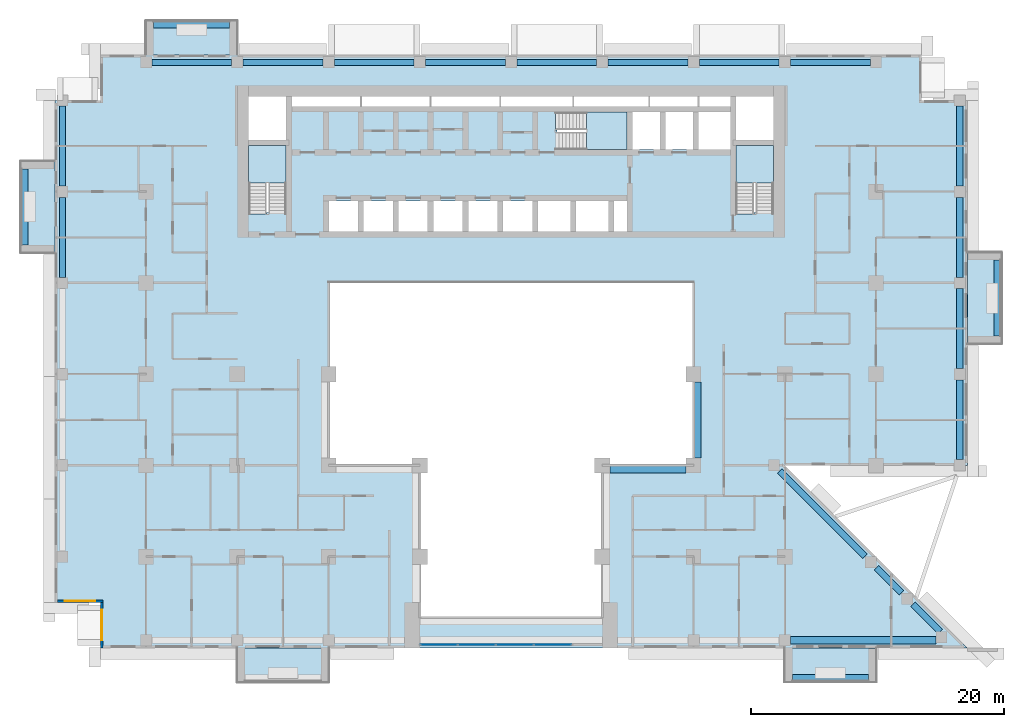
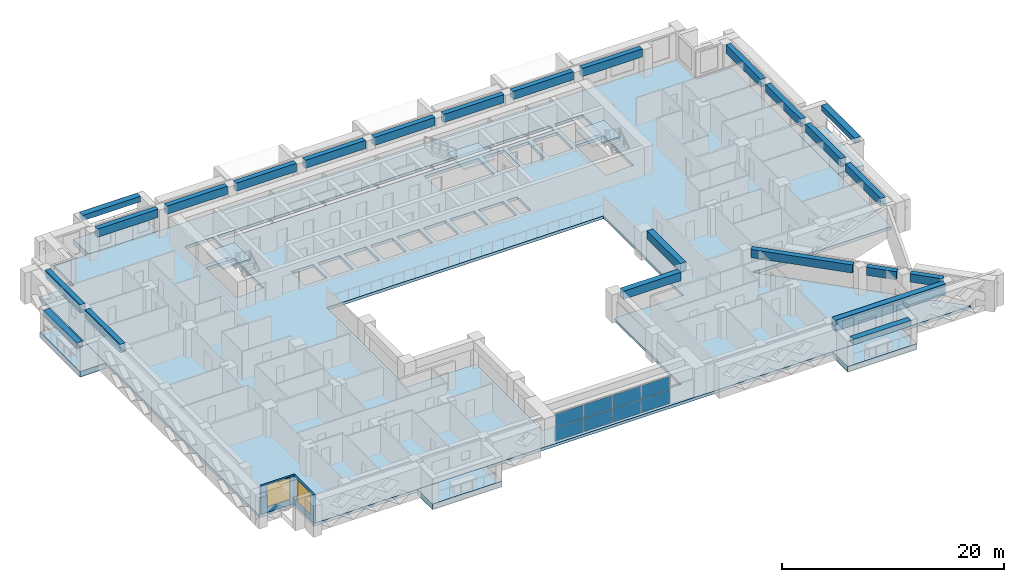
# One storey, part 5 of 17: 24 beams, 9 slabs, 8 plates, 2 walls, 2 windows, 2 openings, 4 elements without a shape of their own.
"""IFC4 building model written with IfcOpenShell, lengths in metres."""

from ifc_helpers import new_model, si_unit, direction, frame, frame_2d, origin, origin_2d, place, context, subcontext, project, spatial, polyline, rectangle, outline, extrude, source, transform, mapped, material, layer, layer_set, material_profile, profile_set, type_object, element, fill, aggregate, save


model = new_model("IFC4")

# Units and contexts
model_context = context("Model", 3, precision=1e-05, world=origin(), true_north=direction((0.0, 1.0)))
body_context = subcontext(model_context, "Body", "Model", "MODEL_VIEW")
ifc_project = project(units=[si_unit("LENGTHUNIT", "METRE"), si_unit("AREAUNIT", "SQUARE_METRE"), si_unit("VOLUMEUNIT", "CUBIC_METRE"), si_unit("PLANEANGLEUNIT", "RADIAN"), si_unit("MASSUNIT", "GRAM", prefix="KILO")], contexts=[model_context])

# Site, building, storey
site_placement = place(None, origin())
site = spatial("IfcSite", under=ifc_project, at=site_placement, CompositionType="ELEMENT")
building_placement = place(site_placement, origin())
building = spatial("IfcBuilding", under=site, at=building_placement, Name="Saffron Iwan Residences", CompositionType="ELEMENT")
storey_placement = place(building_placement, frame((0.0, 0.0, 104.0)))
storey = spatial("IfcBuildingStorey", under=building, at=storey_placement, Name="L27", CompositionType="ELEMENT", Elevation=104.0)

# Beams
ifc_material_1 = material(Name="Concrete C60/75", Category="concrete")
ifc_material_profile_1 = material_profile(ifc_material_1, rectangle(XDim=0.5, YDim=0.89990234375, at=origin_2d()), Name="RC 500x900")
ifc_profile_set_1 = profile_set([ifc_material_profile_1], Name="Concrete C60/75")
beam_type_1 = type_object("IfcBeamType", Name="SPANDREL BEAM RC 500x900 C60/75 TOP 3100", PredefinedType="SPANDREL", material=ifc_profile_set_1)
shared_shape_1 = source(origin(), body_context, "Body", "SweptSolid", [
    extrude(rectangle(XDim=0.5, YDim=0.89990234375, at=origin_2d()), origin(), (0.0, 0.0, 1.0), 6.300048828125),
])
for number, where, z_axis, x_axis, name in (
    (1, (85.800048828125, 54.75, 2.64990234375), (0.0, -1.0, 0.0), (1.0, 0.0, 0.0), "Spandrel beam"),
    (2, (85.800048828125, 61.949951171875, 2.64990234375), (0.0, -1.0, 0.0), (1.0, 0.0, 0.0), "Spandrel beam"),
    (3, (15.0, 70.050048828125, 2.64990234375), (0.0, 1.0, 0.0), (-1.0, 0.0, 0.0), "Spandrel beam"),
    (4, (85.800048828125, 76.35009765625, 2.64990234375), (0.0, -1.0, 0.0), (1.0, 0.0, 0.0), "Spandrel beam"),
    (5, (22.050048828125, 79.800048828125, 2.64990234375), (1.0, 0.0, 0.0), (0.0, 1.0, 0.0), "Spandrel beam"),
    (6, (29.25, 79.800048828125, 2.64990234375), (1.0, 0.0, 0.0), (0.0, 1.0, 0.0), "Spandrel beam"),
    (7, (36.449951171875, 79.800048828125, 2.64990234375), (1.0, 0.0, 0.0), (0.0, 1.0, 0.0), "Spandrel beam"),
    (8, (43.64990234375, 79.800048828125, 2.64990234375), (1.0, 0.0, 0.0), (0.0, 1.0, 0.0), "Spandrel beam"),
    (9, (58.050048828125, 79.800048828125, 2.64990234375), (1.0, 0.0, 0.0), (0.0, 1.0, 0.0), "Spandrel beam"),
    (10, (65.25, 79.800048828125, 2.64990234375), (1.0, 0.0, 0.0), (0.0, 1.0, 0.0), "Spandrel beam"),
    (11, (72.449951171875, 79.800048828125, 2.64990234375), (1.0, 0.0, 0.0), (0.0, 1.0, 0.0), "Spandrel beam"),
):
    element("IfcBeam", number, at=place(storey_placement, frame(where, z_axis=z_axis, x_axis=x_axis)), inside=storey, type_object=beam_type_1, Name=name, PredefinedType="SPANDREL", context=body_context, shape_type="MappedRepresentation", body=[
        mapped(shared_shape_1, transform((0.0, 0.0, 0.0))),
    ])
shared_shape_2 = source(origin(), body_context, "Body", "SweptSolid", [
    extrude(rectangle(XDim=0.5, YDim=0.89990234375, at=origin_2d()), origin(), (0.0, 0.0, 1.0), 3.046142578125),
])
beam_1_placement = place(storey_placement, frame((82.105712890625, 37.0458984375, 2.64990234375), z_axis=(0.707066705991, -0.70714685411, 0.0), x_axis=(0.70714685411, 0.707066705991, 0.0)))
element("IfcBeam", 12, at=beam_1_placement, inside=storey, type_object=beam_type_1, Name="Spandrel beam", PredefinedType="SPANDREL", context=body_context, shape_type="MappedRepresentation", body=[
    mapped(shared_shape_2, transform((0.0, 0.0, 0.0))),
])
shared_shape_3 = source(origin(), body_context, "Body", "SweptSolid", [
    extrude(rectangle(XDim=0.5, YDim=0.89990234375, at=origin_2d()), origin(), (0.0, 0.0, 1.0), 2.80029296875),
])
beam_2_placement = place(storey_placement, frame((79.2255859375, 39.92578125, 2.64990234375), z_axis=(0.707150371901, -0.707063187784, 0.0), x_axis=(0.707063187784, 0.707150371901, 0.0)))
element("IfcBeam", 13, at=beam_2_placement, inside=storey, type_object=beam_type_1, Name="Spandrel beam", PredefinedType="SPANDREL", context=body_context, shape_type="MappedRepresentation", body=[
    mapped(shared_shape_3, transform((0.0, 0.0, 0.0))),
])
shared_shape_4 = source(origin(), body_context, "Body", "SweptSolid", [
    extrude(rectangle(XDim=0.5, YDim=0.89990234375, at=origin_2d()), origin(), (0.0, 0.0, 1.0), 9.511474609375),
])
beam_3_placement = place(storey_placement, frame((71.60009765625, 47.551513671875, 2.64990234375), z_axis=(0.707093947217, -0.707119614923, 0.0), x_axis=(0.707119614923, 0.707093947217, 0.0)))
element("IfcBeam", 14, at=beam_3_placement, inside=storey, type_object=beam_type_1, Name="Spandrel beam", PredefinedType="SPANDREL", context=body_context, shape_type="MappedRepresentation", body=[
    mapped(shared_shape_4, transform((0.0, 0.0, 0.0))),
])
shared_shape_5 = source(origin(), body_context, "Body", "SweptSolid", [
    extrude(rectangle(XDim=0.5, YDim=0.89990234375, at=origin_2d()), origin(), (0.0, 0.0, 1.0), 6.2998046875),
])
for number, where, z_axis, x_axis, name in (
    (15, (15.0, 62.85009765625, 2.64990234375), (0.0, 1.0, 0.0), (-1.0, 0.0, 0.0), "Spandrel beam"),
    (16, (85.800048828125, 69.14990234375, 2.64990234375), (0.0, -1.0, 0.0), (1.0, 0.0, 0.0), "Spandrel beam"),
    (17, (50.85009765625, 79.800048828125, 2.64990234375), (1.0, 0.0, 0.0), (0.0, 1.0, 0.0), "Spandrel beam"),
):
    element("IfcBeam", number, at=place(storey_placement, frame(where, z_axis=z_axis, x_axis=x_axis)), inside=storey, type_object=beam_type_1, Name=name, PredefinedType="SPANDREL", context=body_context, shape_type="MappedRepresentation", body=[
        mapped(shared_shape_5, transform((0.0, 0.0, 0.0))),
    ])
ifc_material_profile_2 = material_profile(ifc_material_1, rectangle(XDim=0.60009765625, YDim=1.199951171875, at=origin_2d()), Name="RC 600x1200")
ifc_profile_set_2 = profile_set([ifc_material_profile_2], Name="Concrete C60/75")
beam_type_2 = type_object("IfcBeamType", Name="LINTEL BEAM RC 600x1200 C60/75 TOP 3100", PredefinedType="LINTEL", material=ifc_profile_set_2)
shared_shape_6 = source(origin(), body_context, "Body", "SweptSolid", [
    extrude(rectangle(XDim=0.60009765625, YDim=1.199951171875, at=origin_2d()), origin(), (0.0, 0.0, 1.0), 11.467529296875),
])
beam_4_placement = place(storey_placement, frame((83.91748046875, 34.199951171875, 2.5), z_axis=(-1.0, 0.0, 0.0), x_axis=(0.0, -1.0, 0.0)))
element("IfcBeam", 18, at=beam_4_placement, inside=storey, type_object=beam_type_2, Name="Lintel beam over the iwan", PredefinedType="LINTEL", context=body_context, shape_type="MappedRepresentation", body=[
    mapped(shared_shape_6, transform((0.0, 0.0, 0.0))),
])
ifc_material_profile_3 = material_profile(ifc_material_1, rectangle(XDim=0.60009765625, YDim=0.89990234375, at=origin_2d()), Name="RC 600x900")
ifc_profile_set_3 = profile_set([ifc_material_profile_3], Name="Concrete C60/75")
beam_type_3 = type_object("IfcBeamType", Name="BEAM RC 600x900 C60/75 TOP 3100", PredefinedType="BEAM", material=ifc_profile_set_3)
shared_shape_7 = source(origin(), body_context, "Body", "SweptSolid", [
    extrude(rectangle(XDim=0.60009765625, YDim=0.89990234375, at=origin_2d()), origin(), (0.0, 0.0, 1.0), 6.0),
])
for number, where, z_axis, x_axis, name in (
    (19, (64.199951171875, 47.699951171875, 2.64990234375), (-1.0, 0.0, 0.0), (0.0, -1.0, 0.0), "Atrium edge beam"),
    (20, (65.10009765625, 54.60009765625, 2.64990234375), (0.0, -1.0, 0.0), (1.0, 0.0, 0.0), "Atrium edge beam"),
):
    element("IfcBeam", number, at=place(storey_placement, frame(where, z_axis=z_axis, x_axis=x_axis)), inside=storey, type_object=beam_type_3, Name=name, PredefinedType="BEAM", context=body_context, shape_type="MappedRepresentation", body=[
        mapped(shared_shape_7, transform((0.0, 0.0, 0.0))),
    ])
ifc_material_2 = material(Name="Concrete C50/60 white painted", Category="concrete")
ifc_material_profile_4 = material_profile(ifc_material_2, rectangle(XDim=0.60009765625, YDim=0.60009765625, at=origin_2d()), Name="BALCONY FASCIA BEAM 600 x 600")
ifc_profile_set_4 = profile_set([ifc_material_profile_4], Name="Concrete C50/60 white painted")
beam_type_4 = type_object("IfcBeamType", Name="BALCONY FASCIA BEAM 600 x 600", PredefinedType="BEAM", material=ifc_profile_set_4)
shared_shape_8 = source(origin(), body_context, "Body", "SweptSolid", [
    extrude(rectangle(XDim=0.60009765625, YDim=0.60009765625, at=origin_2d()), origin(), (0.0, 0.0, 1.0), 6.0),
])
for number, where, z_axis, x_axis, name in (
    (21, (88.800048828125, 58.199951171875, 2.469970703125), (0.0, 1.0, 0.0), (-1.0, 0.0, 0.0), "Balcony fascia beam L27 F2-0"),
    (22, (28.199951171875, 82.800048828125, 2.469970703125), (-1.0, 0.0, 0.0), (0.0, -1.0, 0.0), "Balcony fascia beam L27 F5-3"),
    (23, (12.0, 71.39990234375, 2.469970703125), (0.0, -1.0, 0.0), (1.0, 0.0, 0.0), "Balcony fascia beam L27 F8-0"),
    (24, (72.60009765625, 31.199951171875, 2.469970703125), (1.0, 0.0, 0.0), (0.0, 1.0, 0.0), "Balcony fascia beam L27 11-1"),
):
    element("IfcBeam", number, at=place(storey_placement, frame(where, z_axis=z_axis, x_axis=x_axis)), inside=storey, type_object=beam_type_4, Name=name, PredefinedType="BEAM", context=body_context, shape_type="MappedRepresentation", body=[
        mapped(shared_shape_8, transform((0.0, 0.0, 0.0))),
    ])

# Slabs
ifc_layer_1 = layer(ifc_material_2, 0.60009765625)
ifc_layer_set_1 = layer_set([ifc_layer_1], Name="Concrete C50/60 white painted")
slab_type_1 = type_object("IfcSlabType", Name="BALCONY FRAME SLAB 600", PredefinedType="FLOOR", material=ifc_layer_set_1)
slab_1_placement = place(storey_placement, frame((0.0, 0.0, -0.60009765625)))
element("IfcSlab", 25, at=slab_1_placement, inside=storey, type_object=slab_type_1, Name="Balcony frame slab L27 F2-0", PredefinedType="FLOOR", context=body_context, shape_type="SweptSolid", body=[
    extrude(outline(polyline([(89.10009765625, 57.60009765625), (89.10009765625, 64.800048828125), (86.39990234375, 64.800048828125), (86.39990234375, 57.60009765625), (89.10009765625, 57.60009765625)])), origin(), (0.0, 0.0, 1.0), 0.60009765625),
])
slab_2_placement = place(storey_placement, frame((0.0, 0.0, -0.60009765625)))
element("IfcSlab", 26, at=slab_2_placement, inside=storey, type_object=slab_type_1, Name="Balcony frame slab L27 F5-3", PredefinedType="FLOOR", context=body_context, shape_type="SweptSolid", body=[
    extrude(outline(polyline([(28.800048828125, 83.10009765625), (21.60009765625, 83.10009765625), (21.60009765625, 80.39990234375), (28.800048828125, 80.39990234375), (28.800048828125, 83.10009765625)])), origin(), (0.0, 0.0, 1.0), 0.60009765625),
])
slab_3_placement = place(storey_placement, frame((0.0, 0.0, -0.60009765625)))
element("IfcSlab", 27, at=slab_3_placement, inside=storey, type_object=slab_type_1, Name="Balcony frame slab L27 F8-0", PredefinedType="FLOOR", context=body_context, shape_type="SweptSolid", body=[
    extrude(outline(polyline([(11.699951171875, 72.0), (11.699951171875, 64.800048828125), (14.39990234375, 64.800048828125), (14.39990234375, 72.0), (11.699951171875, 72.0)])), origin(), (0.0, 0.0, 1.0), 0.60009765625),
])
slab_4_placement = place(storey_placement, frame((0.0, 0.0, -0.60009765625)))
element("IfcSlab", 28, at=slab_4_placement, inside=storey, type_object=slab_type_1, Name="Balcony frame slab L27 11-0", PredefinedType="FLOOR", context=body_context, shape_type="SweptSolid", body=[
    extrude(outline(polyline([(28.800048828125, 30.89990234375), (36.0, 30.89990234375), (36.0, 33.60009765625), (28.800048828125, 33.60009765625), (28.800048828125, 30.89990234375)])), origin(), (0.0, 0.0, 1.0), 0.60009765625),
])
slab_5_placement = place(storey_placement, frame((0.0, 0.0, -0.60009765625)))
element("IfcSlab", 29, at=slab_5_placement, inside=storey, type_object=slab_type_1, Name="Balcony frame slab L27 11-1", PredefinedType="FLOOR", context=body_context, shape_type="SweptSolid", body=[
    extrude(outline(polyline([(72.0, 30.89990234375), (79.199951171875, 30.89990234375), (79.199951171875, 33.60009765625), (72.0, 33.60009765625), (72.0, 30.89990234375)])), origin(), (0.0, 0.0, 1.0), 0.60009765625),
])
ifc_material_3 = material(Name="Concrete C40/50", Category="concrete")
ifc_layer_2 = layer(ifc_material_3, 0.320068359375)
ifc_layer_set_2 = layer_set([ifc_layer_2], Name="Concrete C40/50")
slab_type_2 = type_object("IfcSlabType", Name="PT PLATE 320 C40/50", PredefinedType="FLOOR", material=ifc_layer_set_2)
slab_6_placement = place(storey_placement, frame((0.0, 0.0, -0.320068359375)))
element("IfcSlab", 30, at=slab_6_placement, inside=storey, type_object=slab_type_2, Name="Floor slab L27", PredefinedType="FLOOR", context=body_context, shape_type="SweptSolid", body=[
    extrude(outline(polyline([(14.39990234375, 37.199951171875), (14.39990234375, 76.800048828125), (18.0, 76.800048828125), (18.0, 80.39990234375), (82.800048828125, 80.39990234375), (82.800048828125, 76.800048828125), (86.39990234375, 76.800048828125), (86.39990234375, 48.0), (72.0, 48.0), (86.39990234375, 33.60009765625), (18.0, 33.60009765625), (18.0, 37.199951171875), (14.39990234375, 37.199951171875)]), holes=[polyline([(64.800048828125, 48.0), (64.800048828125, 62.39990234375), (36.0, 62.39990234375), (36.0, 48.0), (43.199951171875, 48.0), (43.199951171875, 36.0), (57.60009765625, 36.0), (57.60009765625, 48.0), (64.800048828125, 48.0)]), polyline([(38.324951171875, 68.875), (36.02490234375, 68.875), (36.02490234375, 66.449951171875), (38.324951171875, 66.449951171875), (38.324951171875, 68.875)]), polyline([(41.074951171875, 66.449951171875), (41.074951171875, 68.875), (38.77490234375, 68.875), (38.77490234375, 66.449951171875), (41.074951171875, 66.449951171875)]), polyline([(43.824951171875, 66.449951171875), (43.824951171875, 68.875), (41.52490234375, 68.875), (41.52490234375, 66.449951171875), (43.824951171875, 66.449951171875)]), polyline([(46.574951171875, 68.875), (44.27490234375, 68.875), (44.27490234375, 66.449951171875), (46.574951171875, 66.449951171875), (46.574951171875, 68.875)]), polyline([(49.324951171875, 66.449951171875), (49.324951171875, 68.875), (47.02490234375, 68.875), (47.02490234375, 66.449951171875), (49.324951171875, 66.449951171875)]), polyline([(52.074951171875, 66.449951171875), (52.074951171875, 68.875), (49.77490234375, 68.875), (49.77490234375, 66.449951171875), (52.074951171875, 66.449951171875)]), polyline([(29.699951171875, 73.25), (29.699951171875, 67.949951171875), (29.699951171875, 67.8505859375), (31.10009765625, 67.8505859375), (31.10009765625, 67.949951171875), (32.64990234375, 67.949951171875), (32.64990234375, 73.25), (29.699951171875, 73.25)]), polyline([(32.64990234375, 73.699951171875), (32.64990234375, 77.10009765625), (29.699951171875, 77.10009765625), (29.699951171875, 73.699951171875), (32.64990234375, 73.699951171875)]), polyline([(38.5, 76.324951171875), (38.5, 77.10009765625), (33.10009765625, 77.10009765625), (33.10009765625, 76.324951171875), (38.5, 76.324951171875)]), polyline([(44.0, 77.10009765625), (38.60009765625, 77.10009765625), (38.60009765625, 76.324951171875), (44.0, 76.324951171875), (44.0, 77.10009765625)]), polyline([(49.5, 76.324951171875), (49.5, 77.10009765625), (44.10009765625, 77.10009765625), (44.10009765625, 76.324951171875), (49.5, 76.324951171875)]), polyline([(55.25, 76.324951171875), (55.25, 77.10009765625), (49.60009765625, 77.10009765625), (49.60009765625, 76.324951171875), (55.25, 76.324951171875)]), polyline([(55.074951171875, 68.875), (52.52490234375, 68.875), (52.52490234375, 66.449951171875), (55.074951171875, 66.449951171875), (55.074951171875, 68.875)]), polyline([(58.074951171875, 66.449951171875), (58.074951171875, 68.875), (55.52490234375, 68.875), (55.52490234375, 66.449951171875), (58.074951171875, 66.449951171875)]), polyline([(59.550048828125, 66.449951171875), (59.550048828125, 68.875), (58.52490234375, 68.875), (58.52490234375, 66.449951171875), (59.550048828125, 66.449951171875)]), polyline([(68.14990234375, 73.25), (68.14990234375, 67.949951171875), (68.14990234375, 67.8505859375), (69.550048828125, 67.8505859375), (69.550048828125, 67.949951171875), (71.10009765625, 67.949951171875), (71.10009765625, 73.25), (68.14990234375, 73.25)]), polyline([(53.925537109375, 74.47509765625), (54.02490234375, 74.47509765625), (54.02490234375, 72.925048828125), (59.550048828125, 72.925048828125), (59.550048828125, 75.875), (54.02490234375, 75.875), (53.925537109375, 75.875), (53.925537109375, 74.47509765625)]), polyline([(62.14990234375, 72.925048828125), (62.14990234375, 75.875), (60.0, 75.875), (60.0, 72.925048828125), (62.14990234375, 72.925048828125)]), polyline([(64.75, 75.875), (62.60009765625, 75.875), (62.60009765625, 72.925048828125), (64.75, 72.925048828125), (64.75, 75.875)]), polyline([(67.699951171875, 72.925048828125), (67.699951171875, 75.875), (65.199951171875, 75.875), (65.199951171875, 72.925048828125), (67.699951171875, 72.925048828125)]), polyline([(71.10009765625, 73.699951171875), (71.10009765625, 77.10009765625), (68.14990234375, 77.10009765625), (68.14990234375, 73.699951171875), (71.10009765625, 73.699951171875)]), polyline([(61.25, 77.10009765625), (55.35009765625, 77.10009765625), (55.35009765625, 76.324951171875), (61.25, 76.324951171875), (61.25, 77.10009765625)]), polyline([(65.14990234375, 76.324951171875), (65.14990234375, 77.10009765625), (61.35009765625, 77.10009765625), (61.35009765625, 76.324951171875), (65.14990234375, 76.324951171875)]), polyline([(67.699951171875, 76.324951171875), (67.699951171875, 77.10009765625), (65.25, 77.10009765625), (65.25, 76.324951171875), (67.699951171875, 76.324951171875)])]), origin(), (0.0, 0.0, 1.0), 0.320068359375),
])

# Stair, slab
ifc_material_4 = material(Name="Concrete C50/60", Category="concrete")
stair_type = type_object("IfcStairType", Name="Stair ST-CORE", PredefinedType="HALF_TURN_STAIR", material=ifc_material_4)
stair_1_placement = place(storey_placement, origin())
stair_1 = element("IfcStair", 31, at=stair_1_placement, inside=storey, type_object=stair_type, Name="L27 Exit Stair ST-W", PredefinedType="HALF_TURN_STAIR")
ifc_layer_3 = layer(ifc_material_4, 0.199951171875)
ifc_layer_set_3 = layer_set([ifc_layer_3], Name="Concrete C50/60")
slab_type_3 = type_object("IfcSlabType", Name="Stair landing SL-RC", PredefinedType="LANDING", material=ifc_layer_set_3)
slab_7_placement = place(storey_placement, frame((0.0, 0.0, 1.5498046875)))
slab_7 = element("IfcSlab", 32, at=slab_7_placement, type_object=slab_type_3, Name="ST-W landing 1", PredefinedType="LANDING", context=body_context, shape_type="SweptSolid", body=[
    extrude(outline(polyline([(32.64990234375, 70.280029296875), (32.64990234375, 73.25), (29.699951171875, 73.25), (29.699951171875, 70.280029296875), (32.64990234375, 70.280029296875)])), origin(), (0.0, 0.0, 1.0), 0.2001953125),
])
aggregate(stair_1, [slab_7])

stair_2_placement = place(storey_placement, origin())
stair_2 = element("IfcStair", 33, at=stair_2_placement, inside=storey, type_object=stair_type, Name="L27 Exit Stair ST-C", PredefinedType="HALF_TURN_STAIR")
slab_8_placement = place(storey_placement, frame((0.0, 0.0, 1.5498046875)))
slab_8 = element("IfcSlab", 34, at=slab_8_placement, type_object=slab_type_3, Name="ST-C landing 1", PredefinedType="LANDING", context=body_context, shape_type="SweptSolid", body=[
    extrude(outline(polyline([(56.35498046875, 72.925048828125), (59.550048828125, 72.925048828125), (59.550048828125, 75.875), (56.35498046875, 75.875), (56.35498046875, 72.925048828125)])), origin(), (0.0, 0.0, 1.0), 0.2001953125),
])
aggregate(stair_2, [slab_8])

stair_3_placement = place(storey_placement, origin())
stair_3 = element("IfcStair", 35, at=stair_3_placement, inside=storey, type_object=stair_type, Name="L27 Exit Stair ST-E", PredefinedType="HALF_TURN_STAIR")
slab_9_placement = place(storey_placement, frame((0.0, 0.0, 1.5498046875)))
slab_9 = element("IfcSlab", 36, at=slab_9_placement, type_object=slab_type_3, Name="ST-E landing 1", PredefinedType="LANDING", context=body_context, shape_type="SweptSolid", body=[
    extrude(outline(polyline([(71.10009765625, 70.280029296875), (71.10009765625, 73.25), (68.14990234375, 73.25), (68.14990234375, 70.280029296875), (71.10009765625, 70.280029296875)])), origin(), (0.0, 0.0, 1.0), 0.2001953125),
])
aggregate(stair_3, [slab_9])

# Curtain wall, plates
ifc_material_5 = material(Name="Clear glass, laminated double glazed", Category="glass")
ifc_layer_4 = layer(ifc_material_5, 0.199951171875)
ifc_layer_set_4 = layer_set([ifc_layer_4], Name="Clear glass, laminated double glazed")
curtain_wall_type = type_object("IfcCurtainWallType", Name="CW-B IWAN PORTAL", PredefinedType="NOTDEFINED", material=ifc_layer_set_4)
curtain_wall_placement = place(storey_placement, origin())
curtain_wall = element("IfcCurtainWall", 37, at=curtain_wall_placement, inside=storey, type_object=curtain_wall_type, Name="Iwan portal glazing L27.1", PredefinedType="NOTDEFINED")
ifc_layer_5 = layer(ifc_material_5, 0.028076171875)
ifc_layer_set_5 = layer_set([ifc_layer_5], Name="Clear glass, laminated double glazed")
plate_type = type_object("IfcPlateType", Name="CW-B PANEL 28", PredefinedType="CURTAIN_PANEL", material=ifc_layer_set_5)
shared_shape_9 = source(origin(), body_context, "Body", "SweptSolid", [
    extrude(rectangle(XDim=2.909912109375, YDim=0.028076171875, at=origin_2d()), origin(), (0.0, 0.0, 1.0), 1.4599609375),
])
plate_1_placement = place(storey_placement, frame((44.715087890625, 33.85009765625, 0.06005859375), z_axis=(0.0, 0.0, 1.0), x_axis=(1.0, 0.0, 0.0)))
plate_1 = element("IfcPlate", 38, at=plate_1_placement, type_object=plate_type, Name="CW-B panel 1.1", PredefinedType="CURTAIN_PANEL", context=body_context, shape_type="MappedRepresentation", body=[
    mapped(shared_shape_9, transform((0.0, 0.0, 0.0))),
])
plate_2_placement = place(storey_placement, frame((44.715087890625, 33.85009765625, 1.580078125), z_axis=(0.0, 0.0, 1.0), x_axis=(1.0, 0.0, 0.0)))
plate_2 = element("IfcPlate", 39, at=plate_2_placement, type_object=plate_type, Name="CW-B panel 1.2", PredefinedType="CURTAIN_PANEL", context=body_context, shape_type="MappedRepresentation", body=[
    mapped(shared_shape_9, transform((0.0, 0.0, 0.0))),
])
plate_3_placement = place(storey_placement, frame((53.68505859375, 33.85009765625, 0.06005859375), z_axis=(0.0, 0.0, 1.0), x_axis=(1.0, 0.0, 0.0)))
plate_3 = element("IfcPlate", 40, at=plate_3_placement, type_object=plate_type, Name="CW-B panel 4.1", PredefinedType="CURTAIN_PANEL", context=body_context, shape_type="MappedRepresentation", body=[
    mapped(shared_shape_9, transform((0.0, 0.0, 0.0))),
])
plate_4_placement = place(storey_placement, frame((53.68505859375, 33.85009765625, 1.580078125), z_axis=(0.0, 0.0, 1.0), x_axis=(1.0, 0.0, 0.0)))
plate_4 = element("IfcPlate", 41, at=plate_4_placement, type_object=plate_type, Name="CW-B panel 4.2", PredefinedType="CURTAIN_PANEL", context=body_context, shape_type="MappedRepresentation", body=[
    mapped(shared_shape_9, transform((0.0, 0.0, 0.0))),
])
shared_shape_10 = source(origin(), body_context, "Body", "SweptSolid", [
    extrude(rectangle(XDim=2.93994140625, YDim=0.028076171875, at=origin_2d()), origin(), (0.0, 0.0, 1.0), 1.4599609375),
])
plate_5_placement = place(storey_placement, frame((47.699951171875, 33.85009765625, 0.06005859375), z_axis=(0.0, 0.0, 1.0), x_axis=(1.0, 0.0, 0.0)))
plate_5 = element("IfcPlate", 42, at=plate_5_placement, type_object=plate_type, Name="CW-B panel 2.1", PredefinedType="CURTAIN_PANEL", context=body_context, shape_type="MappedRepresentation", body=[
    mapped(shared_shape_10, transform((0.0, 0.0, 0.0))),
])
plate_6_placement = place(storey_placement, frame((47.699951171875, 33.85009765625, 1.580078125), z_axis=(0.0, 0.0, 1.0), x_axis=(1.0, 0.0, 0.0)))
plate_6 = element("IfcPlate", 43, at=plate_6_placement, type_object=plate_type, Name="CW-B panel 2.2", PredefinedType="CURTAIN_PANEL", context=body_context, shape_type="MappedRepresentation", body=[
    mapped(shared_shape_10, transform((0.0, 0.0, 0.0))),
])
plate_7_placement = place(storey_placement, frame((50.699951171875, 33.85009765625, 0.06005859375), z_axis=(0.0, 0.0, 1.0), x_axis=(1.0, 0.0, 0.0)))
plate_7 = element("IfcPlate", 44, at=plate_7_placement, type_object=plate_type, Name="CW-B panel 3.1", PredefinedType="CURTAIN_PANEL", context=body_context, shape_type="MappedRepresentation", body=[
    mapped(shared_shape_10, transform((0.0, 0.0, 0.0))),
])
plate_8_placement = place(storey_placement, frame((50.699951171875, 33.85009765625, 1.580078125), z_axis=(0.0, 0.0, 1.0), x_axis=(1.0, 0.0, 0.0)))
plate_8 = element("IfcPlate", 45, at=plate_8_placement, type_object=plate_type, Name="CW-B panel 3.2", PredefinedType="CURTAIN_PANEL", context=body_context, shape_type="MappedRepresentation", body=[
    mapped(shared_shape_10, transform((0.0, 0.0, 0.0))),
])
aggregate(curtain_wall, [plate_1, plate_2, plate_5, plate_6, plate_7, plate_8, plate_3, plate_4])

# Wall, opening, window
ifc_layer_6 = layer(ifc_material_3, 0.199951171875)
ifc_layer_set_6 = layer_set([ifc_layer_6], Name="Concrete C40/50")
wall_type = type_object("IfcWallType", Name="EXTERNAL WALL 200", PredefinedType="SOLIDWALL", material=ifc_layer_set_6)
wall_1_placement = place(storey_placement, frame((14.60009765625, 37.300048828125, 0.0), z_axis=(0.0, 0.0, 1.0), x_axis=(1.0, 0.0, 0.0)))
wall_1 = element("IfcWall", 46, at=wall_1_placement, inside=storey, type_object=wall_type, Name="External wall L27 F9.0", PredefinedType="SOLIDWALL", context=body_context, shape_type="SweptSolid", body=[
    extrude(rectangle(XDim=3.599853515625, YDim=0.199951171875, at=frame_2d((1.7998046875, 0.0))), origin(), (0.0, 0.0, 1.0), 3.10009765625),
])
opening_1_placement = place(wall_1_placement, frame((0.60009765625, 0.0, 0.60009765625)))
opening_1 = element("IfcOpeningElement", 47, at=opening_1_placement, cuts=wall_1, Name="Opening W1", PredefinedType="OPENING", context=body_context, shape_type="SweptSolid", body=[
    extrude(rectangle(XDim=2.39990234375, YDim=2.39990234375, at=frame_2d((1.199951171875, 1.199951171875))), frame((0.0, 0.10986328125, 0.0), z_axis=(0.0, -1.0, 0.0), x_axis=(1.0, 0.0, 0.0)), (0.0, 0.0, 1.0), 0.219970703125),
])
window_type = type_object("IfcWindowType", Name="WINDOW 2400 x 2400", PartitioningType="DOUBLE_PANEL_VERTICAL", PredefinedType="WINDOW", material=ifc_material_5)
window_1_placement = place(opening_1_placement, origin())
window_1 = element("IfcWindow", 48, at=window_1_placement, inside=storey, type_object=window_type, Name="Window L27 F9.0", OverallHeight=2.39990234375, OverallWidth=2.39990234375, PartitioningType="DOUBLE_PANEL_VERTICAL", PredefinedType="WINDOW", context=body_context, shape_type="SweptSolid", body=[
    extrude(rectangle(XDim=2.39990234375, YDim=2.39990234375, at=frame_2d((1.199951171875, 1.199951171875))), frame((0.0, 0.030029296875, 0.0), z_axis=(0.0, -1.0, 0.0), x_axis=(1.0, 0.0, 0.0)), (0.0, 0.0, 1.0), 0.06005859375),
])
fill(opening_1, window_1)

wall_2_placement = place(storey_placement, frame((18.10009765625, 37.199951171875, 0.0), z_axis=(0.0, 0.0, 1.0), x_axis=(0.0, -1.0, 0.0)))
wall_2 = element("IfcWall", 49, at=wall_2_placement, inside=storey, type_object=wall_type, Name="External wall L27 F10.0", PredefinedType="SOLIDWALL", context=body_context, shape_type="SweptSolid", body=[
    extrude(rectangle(XDim=3.599853515625, YDim=0.199951171875, at=frame_2d((1.7998046875, 0.0))), origin(), (0.0, 0.0, 1.0), 3.10009765625),
])
opening_2_placement = place(wall_2_placement, frame((0.60009765625, 0.0, 0.60009765625)))
opening_2 = element("IfcOpeningElement", 50, at=opening_2_placement, cuts=wall_2, Name="Opening W1", PredefinedType="OPENING", context=body_context, shape_type="SweptSolid", body=[
    extrude(rectangle(XDim=2.39990234375, YDim=2.39990234375, at=frame_2d((1.199951171875, 1.199951171875))), frame((0.0, 0.10986328125, 0.0), z_axis=(0.0, -1.0, 0.0), x_axis=(1.0, 0.0, 0.0)), (0.0, 0.0, 1.0), 0.219970703125),
])
window_2_placement = place(opening_2_placement, origin())
window_2 = element("IfcWindow", 51, at=window_2_placement, inside=storey, type_object=window_type, Name="Window L27 F10.0", OverallHeight=2.39990234375, OverallWidth=2.39990234375, PartitioningType="DOUBLE_PANEL_VERTICAL", PredefinedType="WINDOW", context=body_context, shape_type="SweptSolid", body=[
    extrude(rectangle(XDim=2.39990234375, YDim=2.39990234375, at=frame_2d((1.199951171875, 1.199951171875))), frame((0.0, 0.030029296875, 0.0), z_axis=(0.0, -1.0, 0.0), x_axis=(1.0, 0.0, 0.0)), (0.0, 0.0, 1.0), 0.06005859375),
])
fill(opening_2, window_2)

save(model, "model.ifc")
